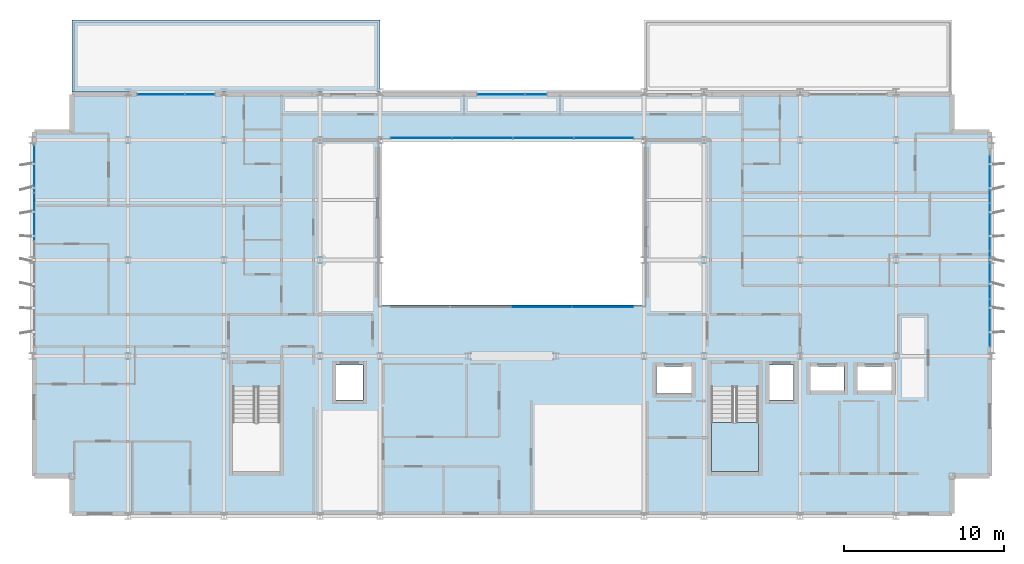
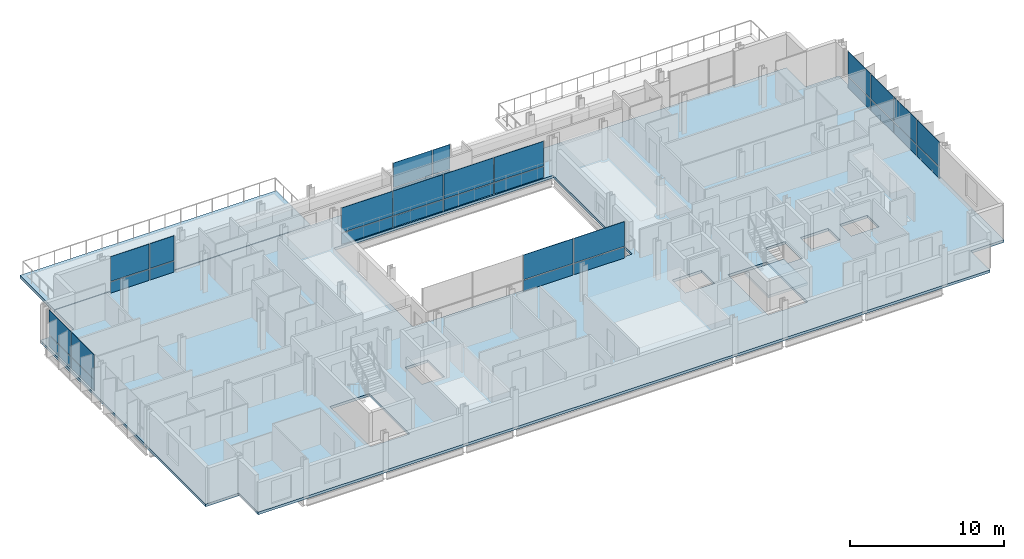
# One storey, part 26 of 38: 32 plates, 3 slabs, 7 elements without a shape of their own.
"""IFC4 building model written with IfcOpenShell, lengths in metres."""

from ifc_helpers import new_model, si_unit, direction, frame, origin, origin_2d, place, context, subcontext, project, spatial, polyline, rectangle, outline, extrude, material, layer, layer_set, type_object, element, aggregate, save


model = new_model("IFC4")

# Units and contexts
model_context = context("Model", 3, precision=1e-05, world=origin(), true_north=direction((0.0, 1.0)))
body_context = subcontext(model_context, "Body", "Model", "MODEL_VIEW")
ifc_project = project(units=[si_unit("LENGTHUNIT", "METRE"), si_unit("AREAUNIT", "SQUARE_METRE"), si_unit("VOLUMEUNIT", "CUBIC_METRE"), si_unit("PLANEANGLEUNIT", "RADIAN"), si_unit("MASSUNIT", "GRAM", prefix="KILO")], contexts=[model_context])

# Site, building, storey
site_placement = place(None, origin())
site = spatial("IfcSite", under=ifc_project, at=site_placement, CompositionType="ELEMENT")
building_placement = place(site_placement, origin())
building = spatial("IfcBuilding", under=site, at=building_placement, Name="Brevholm Reach", CompositionType="ELEMENT")
storey_placement = place(building_placement, frame((0.0, 0.0, 172.800048828125)))
storey = spatial("IfcBuildingStorey", under=building, at=storey_placement, Name="L52", CompositionType="ELEMENT", Elevation=172.800048828125)

# Curtain wall, plates
ifc_material_1 = material(Name="Dark Anodised Aluminium 6063-T6 and Solar-Control Glass", Category="aluminium")
ifc_layer_1 = layer(ifc_material_1, 0.14990234375)
ifc_layer_set_1 = layer_set([ifc_layer_1], Name="Dark Anodised Aluminium 6063-T6 and Solar-Control Glass")
curtain_wall_type_1 = type_object("IfcCurtainWallType", Name="CW-01", PredefinedType="NOTDEFINED", material=ifc_layer_set_1)
curtain_wall_1_placement = place(storey_placement, origin())
curtain_wall_1 = element("IfcCurtainWall", 1, at=curtain_wall_1_placement, inside=storey, type_object=curtain_wall_type_1, Name="L52 Curtain Wall CW-01", PredefinedType="NOTDEFINED")
ifc_material_2 = material(Name="Dark Solar-Control Double-Glazed IGU Glass", Category="glass")
ifc_layer_2 = layer(ifc_material_2, 0.028076171875)
ifc_layer_set_2 = layer_set([ifc_layer_2], Name="Dark Solar-Control Double-Glazed IGU Glass")
plate_type_1 = type_object("IfcPlateType", Name="CWP-GLZ-28", PredefinedType="CURTAIN_PANEL", material=ifc_layer_set_2)
plate_1_placement = place(storey_placement, frame((0.14990234375, 21.703857421875, 0.0), z_axis=(0.0, 0.0, 1.0), x_axis=(0.0, -1.0, 0.0)))
plate_1 = element("IfcPlate", 2, at=plate_1_placement, type_object=plate_type_1, Name="CP-01 Glazing Panel 1.1", PredefinedType="CURTAIN_PANEL", context=body_context, shape_type="SweptSolid", body=[
    extrude(rectangle(XDim=2.902587890625, YDim=0.028076171875, at=origin_2d()), origin(), (0.0, 0.0, 1.0), 0.867431640625),
])
plate_2_placement = place(storey_placement, frame((0.14990234375, 21.703857421875, 0.932373046875), z_axis=(0.0, 0.0, 1.0), x_axis=(0.0, -1.0, 0.0)))
plate_2 = element("IfcPlate", 3, at=plate_2_placement, type_object=plate_type_1, Name="CP-01 Glazing Panel 1.2", PredefinedType="CURTAIN_PANEL", context=body_context, shape_type="SweptSolid", body=[
    extrude(rectangle(XDim=2.902587890625, YDim=0.028076171875, at=origin_2d()), origin(), (0.0, 0.0, 1.0), 1.95751953125),
])
plate_3_placement = place(storey_placement, frame((0.14990234375, 18.719970703125, 0.0), z_axis=(0.0, 0.0, 1.0), x_axis=(0.0, -1.0, 0.0)))
plate_3 = element("IfcPlate", 4, at=plate_3_placement, type_object=plate_type_1, Name="CP-01 Glazing Panel 2.1", PredefinedType="CURTAIN_PANEL", context=body_context, shape_type="SweptSolid", body=[
    extrude(rectangle(XDim=2.93505859375, YDim=0.028076171875, at=origin_2d()), origin(), (0.0, 0.0, 1.0), 0.867431640625),
])
plate_4_placement = place(storey_placement, frame((0.14990234375, 18.719970703125, 0.932373046875), z_axis=(0.0, 0.0, 1.0), x_axis=(0.0, -1.0, 0.0)))
plate_4 = element("IfcPlate", 5, at=plate_4_placement, type_object=plate_type_1, Name="CP-01 Glazing Panel 2.2", PredefinedType="CURTAIN_PANEL", context=body_context, shape_type="SweptSolid", body=[
    extrude(rectangle(XDim=2.93505859375, YDim=0.028076171875, at=origin_2d()), origin(), (0.0, 0.0, 1.0), 1.95751953125),
])
aggregate(curtain_wall_1, [plate_1, plate_2, plate_3, plate_4])

curtain_wall_2_placement = place(storey_placement, origin())
curtain_wall_2 = element("IfcCurtainWall", 6, at=curtain_wall_2_placement, inside=storey, type_object=curtain_wall_type_1, Name="L52 Curtain Wall CW-01", PredefinedType="NOTDEFINED")
plate_5_placement = place(storey_placement, frame((59.85009765625, 12.066162109375, 0.0), z_axis=(0.0, 0.0, 1.0), x_axis=(0.0, 1.0, 0.0)))
plate_5 = element("IfcPlate", 7, at=plate_5_placement, type_object=plate_type_1, Name="CP-01 Glazing Panel 1.1", PredefinedType="CURTAIN_PANEL", context=body_context, shape_type="SweptSolid", body=[
    extrude(rectangle(XDim=2.902587890625, YDim=0.028076171875, at=origin_2d()), origin(), (0.0, 0.0, 1.0), 0.867431640625),
])
plate_6_placement = place(storey_placement, frame((59.85009765625, 12.066162109375, 0.932373046875), z_axis=(0.0, 0.0, 1.0), x_axis=(0.0, 1.0, 0.0)))
plate_6 = element("IfcPlate", 8, at=plate_6_placement, type_object=plate_type_1, Name="CP-01 Glazing Panel 1.2", PredefinedType="CURTAIN_PANEL", context=body_context, shape_type="SweptSolid", body=[
    extrude(rectangle(XDim=2.902587890625, YDim=0.028076171875, at=origin_2d()), origin(), (0.0, 0.0, 1.0), 1.95751953125),
])
plate_7_placement = place(storey_placement, frame((59.85009765625, 15.050048828125, 0.0), z_axis=(0.0, 0.0, 1.0), x_axis=(0.0, 1.0, 0.0)))
plate_7 = element("IfcPlate", 9, at=plate_7_placement, type_object=plate_type_1, Name="CP-01 Glazing Panel 2.1", PredefinedType="CURTAIN_PANEL", context=body_context, shape_type="SweptSolid", body=[
    extrude(rectangle(XDim=2.93505859375, YDim=0.028076171875, at=origin_2d()), origin(), (0.0, 0.0, 1.0), 0.867431640625),
])
plate_8_placement = place(storey_placement, frame((59.85009765625, 15.050048828125, 0.932373046875), z_axis=(0.0, 0.0, 1.0), x_axis=(0.0, 1.0, 0.0)))
plate_8 = element("IfcPlate", 10, at=plate_8_placement, type_object=plate_type_1, Name="CP-01 Glazing Panel 2.2", PredefinedType="CURTAIN_PANEL", context=body_context, shape_type="SweptSolid", body=[
    extrude(rectangle(XDim=2.93505859375, YDim=0.028076171875, at=origin_2d()), origin(), (0.0, 0.0, 1.0), 1.95751953125),
])
plate_9_placement = place(storey_placement, frame((59.85009765625, 18.050048828125, 0.0), z_axis=(0.0, 0.0, 1.0), x_axis=(0.0, 1.0, 0.0)))
plate_9 = element("IfcPlate", 11, at=plate_9_placement, type_object=plate_type_1, Name="CP-01 Glazing Panel 3.1", PredefinedType="CURTAIN_PANEL", context=body_context, shape_type="SweptSolid", body=[
    extrude(rectangle(XDim=2.93505859375, YDim=0.028076171875, at=origin_2d()), origin(), (0.0, 0.0, 1.0), 0.867431640625),
])
plate_10_placement = place(storey_placement, frame((59.85009765625, 18.050048828125, 0.932373046875), z_axis=(0.0, 0.0, 1.0), x_axis=(0.0, 1.0, 0.0)))
plate_10 = element("IfcPlate", 12, at=plate_10_placement, type_object=plate_type_1, Name="CP-01 Glazing Panel 3.2", PredefinedType="CURTAIN_PANEL", context=body_context, shape_type="SweptSolid", body=[
    extrude(rectangle(XDim=2.93505859375, YDim=0.028076171875, at=origin_2d()), origin(), (0.0, 0.0, 1.0), 1.95751953125),
])
plate_11_placement = place(storey_placement, frame((59.85009765625, 21.050048828125, 0.0), z_axis=(0.0, 0.0, 1.0), x_axis=(0.0, 1.0, 0.0)))
plate_11 = element("IfcPlate", 13, at=plate_11_placement, type_object=plate_type_1, Name="CP-01 Glazing Panel 4.1", PredefinedType="CURTAIN_PANEL", context=body_context, shape_type="SweptSolid", body=[
    extrude(rectangle(XDim=2.93505859375, YDim=0.028076171875, at=origin_2d()), origin(), (0.0, 0.0, 1.0), 0.867431640625),
])
plate_12_placement = place(storey_placement, frame((59.85009765625, 21.050048828125, 0.932373046875), z_axis=(0.0, 0.0, 1.0), x_axis=(0.0, 1.0, 0.0)))
plate_12 = element("IfcPlate", 14, at=plate_12_placement, type_object=plate_type_1, Name="CP-01 Glazing Panel 4.2", PredefinedType="CURTAIN_PANEL", context=body_context, shape_type="SweptSolid", body=[
    extrude(rectangle(XDim=2.93505859375, YDim=0.028076171875, at=origin_2d()), origin(), (0.0, 0.0, 1.0), 1.95751953125),
])
aggregate(curtain_wall_2, [plate_5, plate_6, plate_7, plate_8, plate_9, plate_10, plate_11, plate_12])

curtain_wall_3_placement = place(storey_placement, origin())
curtain_wall_3 = element("IfcCurtainWall", 15, at=curtain_wall_3_placement, inside=storey, type_object=curtain_wall_type_1, Name="L52 Curtain Wall CW-01", PredefinedType="NOTDEFINED")
plate_13_placement = place(storey_placement, frame((8.066162109375, 26.35009765625, 0.0), z_axis=(0.0, 0.0, 1.0), x_axis=(1.0, 0.0, 0.0)))
plate_13 = element("IfcPlate", 16, at=plate_13_placement, type_object=plate_type_1, Name="CP-01 Glazing Panel 1.1", PredefinedType="CURTAIN_PANEL", context=body_context, shape_type="SweptSolid", body=[
    extrude(rectangle(XDim=2.902587890625, YDim=0.028076171875, at=origin_2d()), origin(), (0.0, 0.0, 1.0), 0.867431640625),
])
plate_14_placement = place(storey_placement, frame((8.066162109375, 26.35009765625, 0.932373046875), z_axis=(0.0, 0.0, 1.0), x_axis=(1.0, 0.0, 0.0)))
plate_14 = element("IfcPlate", 17, at=plate_14_placement, type_object=plate_type_1, Name="CP-01 Glazing Panel 1.2", PredefinedType="CURTAIN_PANEL", context=body_context, shape_type="SweptSolid", body=[
    extrude(rectangle(XDim=2.902587890625, YDim=0.028076171875, at=origin_2d()), origin(), (0.0, 0.0, 1.0), 1.95751953125),
])
plate_15_placement = place(storey_placement, frame((10.483642578125, 26.35009765625, 0.0), z_axis=(0.0, 0.0, 1.0), x_axis=(1.0, 0.0, 0.0)))
plate_15 = element("IfcPlate", 18, at=plate_15_placement, type_object=plate_type_1, Name="CP-01 Glazing Panel 2.1", PredefinedType="CURTAIN_PANEL", context=body_context, shape_type="SweptSolid", body=[
    extrude(rectangle(XDim=1.802490234375, YDim=0.028076171875, at=origin_2d()), origin(), (0.0, 0.0, 1.0), 0.867431640625),
])
plate_16_placement = place(storey_placement, frame((10.483642578125, 26.35009765625, 0.932373046875), z_axis=(0.0, 0.0, 1.0), x_axis=(1.0, 0.0, 0.0)))
plate_16 = element("IfcPlate", 19, at=plate_16_placement, type_object=plate_type_1, Name="CP-01 Glazing Panel 2.2", PredefinedType="CURTAIN_PANEL", context=body_context, shape_type="SweptSolid", body=[
    extrude(rectangle(XDim=1.802490234375, YDim=0.028076171875, at=origin_2d()), origin(), (0.0, 0.0, 1.0), 1.95751953125),
])
aggregate(curtain_wall_3, [plate_13, plate_14, plate_15, plate_16])

curtain_wall_4_placement = place(storey_placement, origin())
curtain_wall_4 = element("IfcCurtainWall", 20, at=curtain_wall_4_placement, inside=storey, type_object=curtain_wall_type_1, Name="L52 Curtain Wall CW-01", PredefinedType="NOTDEFINED")
plate_17_placement = place(storey_placement, frame((29.316162109375, 26.35009765625, 0.0), z_axis=(0.0, 0.0, 1.0), x_axis=(1.0, 0.0, 0.0)))
plate_17 = element("IfcPlate", 21, at=plate_17_placement, type_object=plate_type_1, Name="CP-01 Glazing Panel 1.1", PredefinedType="CURTAIN_PANEL", context=body_context, shape_type="SweptSolid", body=[
    extrude(rectangle(XDim=2.902587890625, YDim=0.028076171875, at=origin_2d()), origin(), (0.0, 0.0, 1.0), 0.867431640625),
])
plate_18_placement = place(storey_placement, frame((29.316162109375, 26.35009765625, 0.932373046875), z_axis=(0.0, 0.0, 1.0), x_axis=(1.0, 0.0, 0.0)))
plate_18 = element("IfcPlate", 22, at=plate_18_placement, type_object=plate_type_1, Name="CP-01 Glazing Panel 1.2", PredefinedType="CURTAIN_PANEL", context=body_context, shape_type="SweptSolid", body=[
    extrude(rectangle(XDim=2.902587890625, YDim=0.028076171875, at=origin_2d()), origin(), (0.0, 0.0, 1.0), 1.95751953125),
])
plate_19_placement = place(storey_placement, frame((31.483642578125, 26.35009765625, 0.0), z_axis=(0.0, 0.0, 1.0), x_axis=(1.0, 0.0, 0.0)))
plate_19 = element("IfcPlate", 23, at=plate_19_placement, type_object=plate_type_1, Name="CP-01 Glazing Panel 2.1", PredefinedType="CURTAIN_PANEL", context=body_context, shape_type="SweptSolid", body=[
    extrude(rectangle(XDim=1.302490234375, YDim=0.028076171875, at=origin_2d()), origin(), (0.0, 0.0, 1.0), 0.867431640625),
])
plate_20_placement = place(storey_placement, frame((31.483642578125, 26.35009765625, 0.932373046875), z_axis=(0.0, 0.0, 1.0), x_axis=(1.0, 0.0, 0.0)))
plate_20 = element("IfcPlate", 24, at=plate_20_placement, type_object=plate_type_1, Name="CP-01 Glazing Panel 2.2", PredefinedType="CURTAIN_PANEL", context=body_context, shape_type="SweptSolid", body=[
    extrude(rectangle(XDim=1.302490234375, YDim=0.028076171875, at=origin_2d()), origin(), (0.0, 0.0, 1.0), 1.95751953125),
])
aggregate(curtain_wall_4, [plate_17, plate_18, plate_19, plate_20])

ifc_material_3 = material(Name="Dark Anodised Aluminium 6063-T6 and Solar-Control Glass", Category="aluminium")
ifc_layer_3 = layer(ifc_material_3, 0.139892578125)
ifc_layer_set_3 = layer_set([ifc_layer_3], Name="Dark Anodised Aluminium 6063-T6 and Solar-Control Glass")
curtain_wall_type_2 = type_object("IfcCurtainWallType", Name="CW-02", PredefinedType="NOTDEFINED", material=ifc_layer_set_3)
curtain_wall_5_placement = place(storey_placement, origin())
curtain_wall_5 = element("IfcCurtainWall", 25, at=curtain_wall_5_placement, inside=storey, type_object=curtain_wall_type_2, Name="L52 Curtain Wall CW-02", PredefinedType="NOTDEFINED")
ifc_material_4 = material(Name="Low-Iron Laminated Acoustic Glass", Category="glass")
ifc_layer_4 = layer(ifc_material_4, 0.035888671875)
ifc_layer_set_4 = layer_set([ifc_layer_4], Name="Low-Iron Laminated Acoustic Glass")
plate_type_2 = type_object("IfcPlateType", Name="CWP-GLZ-36", PredefinedType="CURTAIN_PANEL", material=ifc_layer_set_4)
plate_21_placement = place(storey_placement, frame((31.85009765625, 13.080078125, 0.0), z_axis=(0.0, 0.0, 1.0), x_axis=(1.0, 0.0, 0.0)))
plate_21 = element("IfcPlate", 26, at=plate_21_placement, type_object=plate_type_2, Name="CP-02 Glazing Panel 3.1", PredefinedType="CURTAIN_PANEL", context=body_context, shape_type="SweptSolid", body=[
    extrude(rectangle(XDim=3.739990234375, YDim=0.035888671875, at=origin_2d()), origin(), (0.0, 0.0, 1.0), 0.8701171875),
])
plate_22_placement = place(storey_placement, frame((31.85009765625, 13.080078125, 0.929931640625), z_axis=(0.0, 0.0, 1.0), x_axis=(1.0, 0.0, 0.0)))
plate_22 = element("IfcPlate", 27, at=plate_22_placement, type_object=plate_type_2, Name="CP-02 Glazing Panel 3.2", PredefinedType="CURTAIN_PANEL", context=body_context, shape_type="SweptSolid", body=[
    extrude(rectangle(XDim=3.739990234375, YDim=0.035888671875, at=origin_2d()), origin(), (0.0, 0.0, 1.0), 1.9599609375),
])
plate_23_placement = place(storey_placement, frame((35.68505859375, 13.080078125, 0.0), z_axis=(0.0, 0.0, 1.0), x_axis=(1.0, 0.0, 0.0)))
plate_23 = element("IfcPlate", 28, at=plate_23_placement, type_object=plate_type_2, Name="CP-02 Glazing Panel 4.1", PredefinedType="CURTAIN_PANEL", context=body_context, shape_type="SweptSolid", body=[
    extrude(rectangle(XDim=3.81005859375, YDim=0.035888671875, at=origin_2d()), origin(), (0.0, 0.0, 1.0), 0.8701171875),
])
plate_24_placement = place(storey_placement, frame((35.68505859375, 13.080078125, 0.929931640625), z_axis=(0.0, 0.0, 1.0), x_axis=(1.0, 0.0, 0.0)))
plate_24 = element("IfcPlate", 29, at=plate_24_placement, type_object=plate_type_2, Name="CP-02 Glazing Panel 4.2", PredefinedType="CURTAIN_PANEL", context=body_context, shape_type="SweptSolid", body=[
    extrude(rectangle(XDim=3.81005859375, YDim=0.035888671875, at=origin_2d()), origin(), (0.0, 0.0, 1.0), 1.9599609375),
])
aggregate(curtain_wall_5, [plate_21, plate_22, plate_23, plate_24])

curtain_wall_6_placement = place(storey_placement, origin())
curtain_wall_6 = element("IfcCurtainWall", 30, at=curtain_wall_6_placement, inside=storey, type_object=curtain_wall_type_2, Name="L52 Curtain Wall CW-02", PredefinedType="NOTDEFINED")
plate_25_placement = place(storey_placement, frame((35.735107421875, 23.6201171875, 0.0), z_axis=(0.0, 0.0, 1.0), x_axis=(-1.0, 0.0, 0.0)))
plate_25 = element("IfcPlate", 31, at=plate_25_placement, type_object=plate_type_2, Name="CP-02 Glazing Panel 1.1", PredefinedType="CURTAIN_PANEL", context=body_context, shape_type="SweptSolid", body=[
    extrude(rectangle(XDim=3.7099609375, YDim=0.035888671875, at=origin_2d()), origin(), (0.0, 0.0, 1.0), 0.8701171875),
])
plate_26_placement = place(storey_placement, frame((35.735107421875, 23.6201171875, 0.929931640625), z_axis=(0.0, 0.0, 1.0), x_axis=(-1.0, 0.0, 0.0)))
plate_26 = element("IfcPlate", 32, at=plate_26_placement, type_object=plate_type_2, Name="CP-02 Glazing Panel 1.2", PredefinedType="CURTAIN_PANEL", context=body_context, shape_type="SweptSolid", body=[
    extrude(rectangle(XDim=3.7099609375, YDim=0.035888671875, at=origin_2d()), origin(), (0.0, 0.0, 1.0), 1.9599609375),
])
plate_27_placement = place(storey_placement, frame((31.949951171875, 23.6201171875, 0.0), z_axis=(0.0, 0.0, 1.0), x_axis=(-1.0, 0.0, 0.0)))
plate_27 = element("IfcPlate", 33, at=plate_27_placement, type_object=plate_type_2, Name="CP-02 Glazing Panel 2.1", PredefinedType="CURTAIN_PANEL", context=body_context, shape_type="SweptSolid", body=[
    extrude(rectangle(XDim=3.739990234375, YDim=0.035888671875, at=origin_2d()), origin(), (0.0, 0.0, 1.0), 0.8701171875),
])
plate_28_placement = place(storey_placement, frame((31.949951171875, 23.6201171875, 0.929931640625), z_axis=(0.0, 0.0, 1.0), x_axis=(-1.0, 0.0, 0.0)))
plate_28 = element("IfcPlate", 34, at=plate_28_placement, type_object=plate_type_2, Name="CP-02 Glazing Panel 2.2", PredefinedType="CURTAIN_PANEL", context=body_context, shape_type="SweptSolid", body=[
    extrude(rectangle(XDim=3.739990234375, YDim=0.035888671875, at=origin_2d()), origin(), (0.0, 0.0, 1.0), 1.9599609375),
])
plate_29_placement = place(storey_placement, frame((28.14990234375, 23.6201171875, 0.0), z_axis=(0.0, 0.0, 1.0), x_axis=(-1.0, 0.0, 0.0)))
plate_29 = element("IfcPlate", 35, at=plate_29_placement, type_object=plate_type_2, Name="CP-02 Glazing Panel 3.1", PredefinedType="CURTAIN_PANEL", context=body_context, shape_type="SweptSolid", body=[
    extrude(rectangle(XDim=3.739990234375, YDim=0.035888671875, at=origin_2d()), origin(), (0.0, 0.0, 1.0), 0.8701171875),
])
plate_30_placement = place(storey_placement, frame((28.14990234375, 23.6201171875, 0.929931640625), z_axis=(0.0, 0.0, 1.0), x_axis=(-1.0, 0.0, 0.0)))
plate_30 = element("IfcPlate", 36, at=plate_30_placement, type_object=plate_type_2, Name="CP-02 Glazing Panel 3.2", PredefinedType="CURTAIN_PANEL", context=body_context, shape_type="SweptSolid", body=[
    extrude(rectangle(XDim=3.739990234375, YDim=0.035888671875, at=origin_2d()), origin(), (0.0, 0.0, 1.0), 1.9599609375),
])
plate_31_placement = place(storey_placement, frame((24.31494140625, 23.6201171875, 0.0), z_axis=(0.0, 0.0, 1.0), x_axis=(-1.0, 0.0, 0.0)))
plate_31 = element("IfcPlate", 37, at=plate_31_placement, type_object=plate_type_2, Name="CP-02 Glazing Panel 4.1", PredefinedType="CURTAIN_PANEL", context=body_context, shape_type="SweptSolid", body=[
    extrude(rectangle(XDim=3.81005859375, YDim=0.035888671875, at=origin_2d()), origin(), (0.0, 0.0, 1.0), 0.8701171875),
])
plate_32_placement = place(storey_placement, frame((24.31494140625, 23.6201171875, 0.929931640625), z_axis=(0.0, 0.0, 1.0), x_axis=(-1.0, 0.0, 0.0)))
plate_32 = element("IfcPlate", 38, at=plate_32_placement, type_object=plate_type_2, Name="CP-02 Glazing Panel 4.2", PredefinedType="CURTAIN_PANEL", context=body_context, shape_type="SweptSolid", body=[
    extrude(rectangle(XDim=3.81005859375, YDim=0.035888671875, at=origin_2d()), origin(), (0.0, 0.0, 1.0), 1.9599609375),
])
aggregate(curtain_wall_6, [plate_25, plate_26, plate_27, plate_28, plate_29, plate_30, plate_31, plate_32])

# Slab
ifc_material_5 = material(Name="Concrete C40/50", Category="concrete")
ifc_layer_5 = layer(ifc_material_5, 0.2099609375)
ifc_layer_set_5 = layer_set([ifc_layer_5], Name="Concrete C40/50")
slab_type_1 = type_object("IfcSlabType", Name="SLB-FL-210", PredefinedType="FLOOR", material=ifc_layer_set_5)
slab_1_placement = place(storey_placement, frame((0.0, 0.0, -0.2099609375)))
element("IfcSlab", 39, at=slab_1_placement, inside=storey, type_object=slab_type_1, Name="L52 Suspended Floor Slab (main)", PredefinedType="FLOOR", context=body_context, shape_type="SweptSolid", body=[
    extrude(outline(polyline([(2.5, 0.0), (57.5, 0.0), (57.5, 2.5), (60.0, 2.5), (60.0, 24.0), (57.5, 24.0), (57.5, 26.5), (2.5, 26.5), (2.5, 24.0), (0.0, 24.0), (0.0, 2.5), (2.5, 2.5), (2.5, 0.0)]), holes=[polyline([(21.75, 13.199951171875), (38.25, 13.199951171875), (38.25, 23.5), (21.75, 23.5), (21.75, 13.199951171875)]), polyline([(12.550048828125, 2.780029296875), (15.5, 2.780029296875), (15.5, 8.044921875), (12.550048828125, 8.044921875), (12.550048828125, 2.780029296875)]), polyline([(42.449951171875, 2.780029296875), (45.39990234375, 2.780029296875), (45.39990234375, 8.044921875), (42.449951171875, 8.044921875), (42.449951171875, 2.780029296875)]), polyline([(19.0, 7.25), (20.699951171875, 7.25), (20.699951171875, 9.449951171875), (19.0, 9.449951171875), (19.0, 7.25)]), polyline([(46.10009765625, 7.25), (47.60009765625, 7.25), (47.60009765625, 9.449951171875), (46.10009765625, 9.449951171875), (46.10009765625, 7.25)]), polyline([(39.02001953125, 7.64990234375), (41.219970703125, 7.64990234375), (41.219970703125, 9.35009765625), (39.02001953125, 9.35009765625), (39.02001953125, 7.64990234375)]), polyline([(48.64990234375, 7.85009765625), (50.75, 7.85009765625), (50.75, 9.35009765625), (48.64990234375, 9.35009765625), (48.64990234375, 7.85009765625)]), polyline([(51.60009765625, 7.85009765625), (53.699951171875, 7.85009765625), (53.699951171875, 9.35009765625), (51.60009765625, 9.35009765625), (51.60009765625, 7.85009765625)])]), origin(), (0.0, 0.0, 1.0), 0.2099609375),
])

# Stair, slab
ifc_material_6 = material(Name="Precast Concrete C40/50", Category="concrete")
stair_type = type_object("IfcStairType", Name="STR-ESC-1400", PredefinedType="DOUBLE_RETURN_STAIR", material=ifc_material_6)
stair_placement = place(storey_placement, origin())
stair = element("IfcStair", 40, at=stair_placement, inside=storey, type_object=stair_type, Name="L52 ST-2", PredefinedType="DOUBLE_RETURN_STAIR")
ifc_material_7 = material(Name="Concrete C40/50", Category="concrete")
ifc_layer_6 = layer(ifc_material_7, 0.199951171875)
ifc_layer_set_6 = layer_set([ifc_layer_6], Name="Concrete C40/50")
slab_type_2 = type_object("IfcSlabType", Name="SLB-LND-200", PredefinedType="LANDING", material=ifc_layer_set_6)
slab_2_placement = place(storey_placement, frame((0.0, 0.0, 1.349853515625)))
slab_2 = element("IfcSlab", 41, at=slab_2_placement, type_object=slab_type_2, Name="ST-2 landing 1", PredefinedType="LANDING", context=body_context, shape_type="SweptSolid", body=[
    extrude(outline(polyline([(42.449951171875, 5.860107421875), (42.449951171875, 2.780029296875), (45.39990234375, 2.780029296875), (45.39990234375, 5.860107421875), (42.449951171875, 5.860107421875)])), origin(), (0.0, 0.0, 1.0), 0.2001953125),
])
aggregate(stair, [slab_2])

# Slab
ifc_material_8 = material(Name="Concrete C40/50", Category="concrete")
ifc_layer_7 = layer(ifc_material_8, 0.239990234375)
ifc_layer_set_7 = layer_set([ifc_layer_7], Name="Concrete C40/50")
slab_type_3 = type_object("IfcSlabType", Name="SLB-RF-240", PredefinedType="ROOF", material=ifc_layer_set_7)
slab_3_placement = place(storey_placement, frame((0.0, 0.0, -0.2099609375)))
element("IfcSlab", 42, at=slab_3_placement, inside=storey, type_object=slab_type_3, Name="Outdoor Terrace Roof Slab (terrace-w-l52)", PredefinedType="ROOF", context=body_context, shape_type="SweptSolid", body=[
    extrude(outline(polyline([(2.5, 26.5), (21.75, 26.5), (21.75, 31.0), (2.5, 31.0), (2.5, 26.5)])), origin(), (0.0, 0.0, 1.0), 0.239990234375),
])

save(model, "model.ifc")
